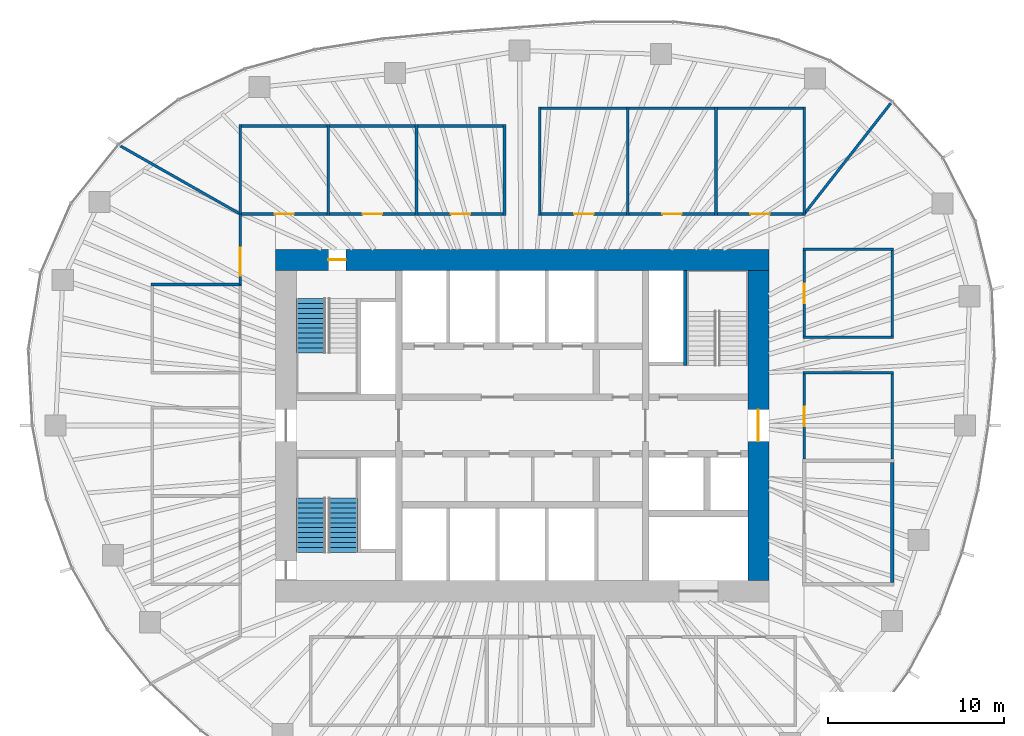
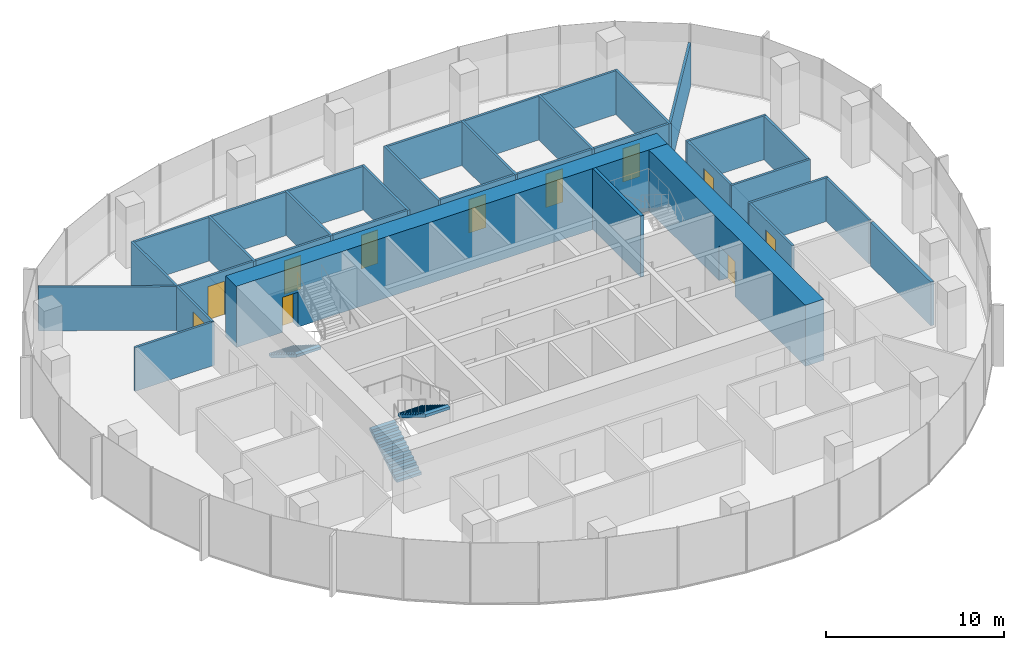
# One storey, part 10 of 12: 35 walls, 11 doors, 3 stair flights, 11 openings, 2 elements without a shape of their own.
"""IFC4 building model written with IfcOpenShell, lengths in metres."""

from ifc_helpers import new_model, si_unit, direction, frame, frame_2d, origin, place, context, subcontext, project, spatial, polyline, rectangle, outline, extrude, material, layer, layer_set, type_object, element, fill, aggregate, save


model = new_model("IFC4")

# Units and contexts
model_context = context("Model", 3, precision=1e-05, world=origin(), true_north=direction((0.0, 1.0)))
body_context = subcontext(model_context, "Body", "Model", "MODEL_VIEW")
ifc_project = project(units=[si_unit("LENGTHUNIT", "METRE"), si_unit("AREAUNIT", "SQUARE_METRE"), si_unit("VOLUMEUNIT", "CUBIC_METRE"), si_unit("PLANEANGLEUNIT", "RADIAN"), si_unit("MASSUNIT", "GRAM", prefix="KILO")], contexts=[model_context])

# Site, building, storey
site_placement = place(None, origin())
site = spatial("IfcSite", under=ifc_project, at=site_placement, CompositionType="ELEMENT")
building_placement = place(site_placement, origin())
building = spatial("IfcBuilding", under=site, at=building_placement, Name="Ghaith Harvest Tower", CompositionType="ELEMENT")
storey_placement = place(building_placement, frame((0.0, 0.0, 253.60009765625)))
storey = spatial("IfcBuildingStorey", under=building, at=storey_placement, Name="L56", CompositionType="ELEMENT", Elevation=253.60009765625)

# Wall
ifc_material_1 = material(Name="Twin-stud gypsum board, acoustic", Category="gypsum")
ifc_layer_1 = layer(ifc_material_1, 0.199951171875)
ifc_layer_set_1 = layer_set([ifc_layer_1], Name="ACOUSTIC PARTITION 200")
wall_type_1 = type_object("IfcWallType", Name="ACOUSTIC PARTITION 200", PredefinedType="PARTITIONING", material=ifc_layer_set_1)
wall_1_placement = place(storey_placement, frame((21.0, -8.89990234375, 0.0), z_axis=(0.0, 0.0, 1.0), x_axis=(0.0, 1.0, 0.0)))
element("IfcWall", 1, at=wall_1_placement, inside=storey, type_object=wall_type_1, Name="Partition L56-07", PredefinedType="PARTITIONING", context=body_context, shape_type="SweptSolid", body=[
    extrude(rectangle(XDim=6.7998046875, YDim=0.199951171875, at=frame_2d((3.39990234375, 0.0))), origin(), (0.0, 0.0, 1.0), 3.0),
])

# Wall, opening, door
ifc_material_2 = material(Name="Concrete C60/75", Category="concrete")
ifc_layer_2 = layer(ifc_material_2, 1.199951171875)
ifc_layer_set_2 = layer_set([ifc_layer_2], Name="CORE WALL CW1200 C60")
wall_type_2 = type_object("IfcWallType", Name="CORE WALL CW1200 C60", PredefinedType="SHEAR", material=ifc_layer_set_2)
wall_2_placement = place(storey_placement, frame((14.0, 9.39990234375, 0.0), z_axis=(0.0, 0.0, 1.0), x_axis=(-1.0, 0.0, 0.0)))
wall_2 = element("IfcWall", 2, at=wall_2_placement, inside=storey, type_object=wall_type_2, Name="Core wall N L56", PredefinedType="SHEAR", context=body_context, shape_type="SweptSolid", body=[
    extrude(rectangle(XDim=28.0, YDim=1.199951171875, at=frame_2d((14.0, 0.0))), origin(), (0.0, 0.0, 1.0), 4.199951171875),
])
opening_1_placement = place(wall_2_placement, frame((24.0, 0.0, 0.0)))
opening_1 = element("IfcOpeningElement", 3, at=opening_1_placement, cuts=wall_2, Name="Opening 56-005", PredefinedType="OPENING", context=body_context, shape_type="SweptSolid", body=[
    extrude(rectangle(XDim=1.0, YDim=2.39990234375, at=frame_2d((0.5, 1.199951171875))), frame((0.0, 0.60986328125, 0.0), z_axis=(0.0, -1.0, 0.0), x_axis=(1.0, 0.0, 0.0)), (0.0, 0.0, 1.0), 1.219970703125),
])
ifc_material_3 = material(Name="Steel fire door", Category="steel")
door_type_1 = type_object("IfcDoorType", Name="D3 FD90 1000x2400", OperationType="SINGLE_SWING_LEFT", PredefinedType="DOOR", material=ifc_material_3)
door_1_placement = place(opening_1_placement, origin())
door_1 = element("IfcDoor", 4, at=door_1_placement, inside=storey, type_object=door_type_1, Name="Stair ST1 door", OperationType="SINGLE_SWING_RIGHT", OverallHeight=2.39990234375, OverallWidth=1.0, PredefinedType="DOOR", context=body_context, shape_type="SweptSolid", body=[
    extrude(rectangle(XDim=1.0, YDim=2.39990234375, at=frame_2d((0.5, 1.199951171875))), frame((0.0, 0.02490234375, 0.0), z_axis=(0.0, -1.0, 0.0), x_axis=(1.0, 0.0, 0.0)), (0.0, 0.0, 1.0), 0.050048828125),
])
fill(opening_1, door_1)

wall_3_placement = place(storey_placement, frame((13.39990234375, -8.800048828125, 0.0), z_axis=(0.0, 0.0, 1.0), x_axis=(0.0, 1.0, 0.0)))
wall_3 = element("IfcWall", 5, at=wall_3_placement, inside=storey, type_object=wall_type_2, Name="Core wall E L56", PredefinedType="SHEAR", context=body_context, shape_type="SweptSolid", body=[
    extrude(rectangle(XDim=17.60009765625, YDim=1.199951171875, at=frame_2d((8.800048828125, 0.0))), origin(), (0.0, 0.0, 1.0), 4.199951171875),
])
opening_2_placement = place(wall_3_placement, frame((7.89990234375, 0.0, 0.0)))
opening_2 = element("IfcOpeningElement", 6, at=opening_2_placement, cuts=wall_3, Name="Opening 56-002", PredefinedType="OPENING", context=body_context, shape_type="SweptSolid", body=[
    extrude(rectangle(XDim=1.800048828125, YDim=2.39990234375, at=frame_2d((0.89990234375, 1.199951171875))), frame((0.0, 0.60986328125, 0.0), z_axis=(0.0, -1.0, 0.0), x_axis=(1.0, 0.0, 0.0)), (0.0, 0.0, 1.0), 1.219970703125),
])
ifc_material_4 = material(Name="Steel fire door", Category="steel")
door_type_2 = type_object("IfcDoorType", Name="D4 FD90 PAIR 1800x2400", OperationType="DOUBLE_DOOR_SINGLE_SWING", PredefinedType="DOOR", material=ifc_material_4)
door_2_placement = place(opening_2_placement, origin())
door_2 = element("IfcDoor", 7, at=door_2_placement, inside=storey, type_object=door_type_2, Name="Fire-fighting lobby doors", OperationType="DOUBLE_DOOR_SINGLE_SWING", OverallHeight=2.39990234375, OverallWidth=1.800048828125, PredefinedType="DOOR", context=body_context, shape_type="SweptSolid", body=[
    extrude(rectangle(XDim=1.800048828125, YDim=2.39990234375, at=frame_2d((0.89990234375, 1.199951171875))), frame((0.0, 0.02490234375, 0.0), z_axis=(0.0, -1.0, 0.0), x_axis=(1.0, 0.0, 0.0)), (0.0, 0.0, 1.0), 0.050048828125),
])
fill(opening_2, door_2)

# Walls
ifc_material_5 = material(Name="Gypsum board on steel studs", Category="steel")
ifc_layer_3 = layer(ifc_material_5, 0.14990234375)
ifc_layer_set_3 = layer_set([ifc_layer_3], Name="PARTITION 150")
wall_type_3 = type_object("IfcWallType", Name="PARTITION 150", PredefinedType="PARTITIONING", material=ifc_layer_set_3)
for number, where, z_axis, x_axis, name in (
    (8, (-16.0, 11.925048828125, 0.0), (0.0, 0.0, 1.0), (0.0, 1.0, 0.0), "Partition L56 row N1 cross wall 1"),
    (9, (-11.0, 11.925048828125, 0.0), (0.0, 0.0, 1.0), (0.0, 1.0, 0.0), "Partition L56 row N1 cross wall 2"),
    (10, (-6.0, 11.925048828125, 0.0), (0.0, 0.0, 1.0), (0.0, 1.0, 0.0), "Partition L56 row N1 cross wall 3"),
    (11, (-1.0, 11.925048828125, 0.0), (0.0, 0.0, 1.0), (0.0, 1.0, 0.0), "Partition L56 row N1 cross wall 4"),
):
    element("IfcWall", number, at=place(storey_placement, frame(where, z_axis=z_axis, x_axis=x_axis)), inside=storey, type_object=wall_type_3, Name=name, PredefinedType="PARTITIONING", context=body_context, shape_type="SweptSolid", body=[
        extrude(rectangle(XDim=5.14990234375, YDim=0.14990234375, at=frame_2d((2.574951171875, 0.0))), origin(), (0.0, 0.0, 1.0), 3.0),
    ])

# Wall, opening, door
wall_4_placement = place(storey_placement, frame((-15.925048828125, 12.0, 0.0), z_axis=(0.0, 0.0, 1.0), x_axis=(1.0, 0.0, 0.0)))
wall_4 = element("IfcWall", 12, at=wall_4_placement, inside=storey, type_object=wall_type_3, Name="Partition L56-01", PredefinedType="PARTITIONING", context=body_context, shape_type="SweptSolid", body=[
    extrude(rectangle(XDim=4.85009765625, YDim=0.14990234375, at=frame_2d((2.425048828125, 0.0))), origin(), (0.0, 0.0, 1.0), 3.0),
])
opening_3_placement = place(wall_4_placement, frame((1.875, 0.0, 0.0)))
opening_3 = element("IfcOpeningElement", 13, at=opening_3_placement, cuts=wall_4, Name="Opening 56-021", PredefinedType="OPENING", context=body_context, shape_type="SweptSolid", body=[
    extrude(rectangle(XDim=1.10009765625, YDim=2.300048828125, at=frame_2d((0.550048828125, 1.14990234375))), frame((0.0, 0.0849609375, 0.0), z_axis=(0.0, -1.0, 0.0), x_axis=(1.0, 0.0, 0.0)), (0.0, 0.0, 1.0), 0.169921875),
])
ifc_material_6 = material(Name="Timber-framed glazed door", Category="wood")
door_type_3 = type_object("IfcDoorType", Name="D12 GLAZED OFFICE 1100x2300", OperationType="SINGLE_SWING_LEFT", PredefinedType="DOOR", material=ifc_material_6)
door_3_placement = place(opening_3_placement, origin())
door_3 = element("IfcDoor", 14, at=door_3_placement, inside=storey, type_object=door_type_3, Name="Executive office door", OperationType="SINGLE_SWING_LEFT", OverallHeight=2.300048828125, OverallWidth=1.10009765625, PredefinedType="DOOR", context=body_context, shape_type="SweptSolid", body=[
    extrude(rectangle(XDim=1.10009765625, YDim=2.300048828125, at=frame_2d((0.550048828125, 1.14990234375))), frame((0.0, 0.02490234375, 0.0), z_axis=(0.0, -1.0, 0.0), x_axis=(1.0, 0.0, 0.0)), (0.0, 0.0, 1.0), 0.050048828125),
])
fill(opening_3, door_3)

# Wall
wall_5_placement = place(storey_placement, frame((-15.925048828125, 17.0, 0.0), z_axis=(0.0, 0.0, 1.0), x_axis=(1.0, 0.0, 0.0)))
element("IfcWall", 15, at=wall_5_placement, inside=storey, type_object=wall_type_3, Name="Partition L56-01", PredefinedType="PARTITIONING", context=body_context, shape_type="SweptSolid", body=[
    extrude(rectangle(XDim=4.85009765625, YDim=0.14990234375, at=frame_2d((2.425048828125, 0.0))), origin(), (0.0, 0.0, 1.0), 3.0),
])

# Wall, opening, door
wall_6_placement = place(storey_placement, frame((-10.925048828125, 12.0, 0.0), z_axis=(0.0, 0.0, 1.0), x_axis=(1.0, 0.0, 0.0)))
wall_6 = element("IfcWall", 16, at=wall_6_placement, inside=storey, type_object=wall_type_3, Name="Partition L56-02", PredefinedType="PARTITIONING", context=body_context, shape_type="SweptSolid", body=[
    extrude(rectangle(XDim=4.85009765625, YDim=0.14990234375, at=frame_2d((2.425048828125, 0.0))), origin(), (0.0, 0.0, 1.0), 3.0),
])
opening_4_placement = place(wall_6_placement, frame((1.875, 0.0, 0.0)))
opening_4 = element("IfcOpeningElement", 17, at=opening_4_placement, cuts=wall_6, Name="Opening 56-022", PredefinedType="OPENING", context=body_context, shape_type="SweptSolid", body=[
    extrude(rectangle(XDim=1.10009765625, YDim=2.300048828125, at=frame_2d((0.550048828125, 1.14990234375))), frame((0.0, 0.0849609375, 0.0), z_axis=(0.0, -1.0, 0.0), x_axis=(1.0, 0.0, 0.0)), (0.0, 0.0, 1.0), 0.169921875),
])
door_4_placement = place(opening_4_placement, origin())
door_4 = element("IfcDoor", 18, at=door_4_placement, inside=storey, type_object=door_type_3, Name="Executive office door", OperationType="SINGLE_SWING_LEFT", OverallHeight=2.300048828125, OverallWidth=1.10009765625, PredefinedType="DOOR", context=body_context, shape_type="SweptSolid", body=[
    extrude(rectangle(XDim=1.10009765625, YDim=2.300048828125, at=frame_2d((0.550048828125, 1.14990234375))), frame((0.0, 0.02490234375, 0.0), z_axis=(0.0, -1.0, 0.0), x_axis=(1.0, 0.0, 0.0)), (0.0, 0.0, 1.0), 0.050048828125),
])
fill(opening_4, door_4)

# Wall
wall_7_placement = place(storey_placement, frame((-10.925048828125, 17.0, 0.0), z_axis=(0.0, 0.0, 1.0), x_axis=(1.0, 0.0, 0.0)))
element("IfcWall", 19, at=wall_7_placement, inside=storey, type_object=wall_type_3, Name="Partition L56-02", PredefinedType="PARTITIONING", context=body_context, shape_type="SweptSolid", body=[
    extrude(rectangle(XDim=4.85009765625, YDim=0.14990234375, at=frame_2d((2.425048828125, 0.0))), origin(), (0.0, 0.0, 1.0), 3.0),
])

# Wall, opening, door
wall_8_placement = place(storey_placement, frame((-5.925048828125, 12.0, 0.0), z_axis=(0.0, 0.0, 1.0), x_axis=(1.0, 0.0, 0.0)))
wall_8 = element("IfcWall", 20, at=wall_8_placement, inside=storey, type_object=wall_type_3, Name="Partition L56-03", PredefinedType="PARTITIONING", context=body_context, shape_type="SweptSolid", body=[
    extrude(rectangle(XDim=4.85009765625, YDim=0.14990234375, at=frame_2d((2.425048828125, 0.0))), origin(), (0.0, 0.0, 1.0), 3.0),
])
opening_5_placement = place(wall_8_placement, frame((1.875, 0.0, 0.0)))
opening_5 = element("IfcOpeningElement", 21, at=opening_5_placement, cuts=wall_8, Name="Opening 56-023", PredefinedType="OPENING", context=body_context, shape_type="SweptSolid", body=[
    extrude(rectangle(XDim=1.10009765625, YDim=2.300048828125, at=frame_2d((0.550048828125, 1.14990234375))), frame((0.0, 0.0849609375, 0.0), z_axis=(0.0, -1.0, 0.0), x_axis=(1.0, 0.0, 0.0)), (0.0, 0.0, 1.0), 0.169921875),
])
door_5_placement = place(opening_5_placement, origin())
door_5 = element("IfcDoor", 22, at=door_5_placement, inside=storey, type_object=door_type_3, Name="Executive office door", OperationType="SINGLE_SWING_LEFT", OverallHeight=2.300048828125, OverallWidth=1.10009765625, PredefinedType="DOOR", context=body_context, shape_type="SweptSolid", body=[
    extrude(rectangle(XDim=1.10009765625, YDim=2.300048828125, at=frame_2d((0.550048828125, 1.14990234375))), frame((0.0, 0.02490234375, 0.0), z_axis=(0.0, -1.0, 0.0), x_axis=(1.0, 0.0, 0.0)), (0.0, 0.0, 1.0), 0.050048828125),
])
fill(opening_5, door_5)

# Walls
wall_9_placement = place(storey_placement, frame((-5.925048828125, 17.0, 0.0), z_axis=(0.0, 0.0, 1.0), x_axis=(1.0, 0.0, 0.0)))
element("IfcWall", 23, at=wall_9_placement, inside=storey, type_object=wall_type_3, Name="Partition L56-03", PredefinedType="PARTITIONING", context=body_context, shape_type="SweptSolid", body=[
    extrude(rectangle(XDim=4.85009765625, YDim=0.14990234375, at=frame_2d((2.425048828125, 0.0))), origin(), (0.0, 0.0, 1.0), 3.0),
])
for number, where, z_axis, x_axis, name in (
    (24, (1.0, 11.925048828125, 0.0), (0.0, 0.0, 1.0), (0.0, 1.0, 0.0), "Partition L56 row N2 cross wall 1"),
    (25, (6.0, 11.925048828125, 0.0), (0.0, 0.0, 1.0), (0.0, 1.0, 0.0), "Partition L56 row N2 cross wall 2"),
    (26, (11.0, 11.925048828125, 0.0), (0.0, 0.0, 1.0), (0.0, 1.0, 0.0), "Partition L56 row N2 cross wall 3"),
    (27, (16.0, 11.925048828125, 0.0), (0.0, 0.0, 1.0), (0.0, 1.0, 0.0), "Partition L56 row N2 cross wall 4"),
):
    element("IfcWall", number, at=place(storey_placement, frame(where, z_axis=z_axis, x_axis=x_axis)), inside=storey, type_object=wall_type_3, Name=name, PredefinedType="PARTITIONING", context=body_context, shape_type="SweptSolid", body=[
        extrude(rectangle(XDim=6.14990234375, YDim=0.14990234375, at=frame_2d((3.074951171875, 0.0))), origin(), (0.0, 0.0, 1.0), 3.0),
    ])

# Wall, opening, door
wall_10_placement = place(storey_placement, frame((1.074951171875, 12.0, 0.0), z_axis=(0.0, 0.0, 1.0), x_axis=(1.0, 0.0, 0.0)))
wall_10 = element("IfcWall", 28, at=wall_10_placement, inside=storey, type_object=wall_type_3, Name="Partition L56-04", PredefinedType="PARTITIONING", context=body_context, shape_type="SweptSolid", body=[
    extrude(rectangle(XDim=4.85009765625, YDim=0.14990234375, at=frame_2d((2.425048828125, 0.0))), origin(), (0.0, 0.0, 1.0), 3.0),
])
opening_6_placement = place(wall_10_placement, frame((1.875, 0.0, 0.0)))
opening_6 = element("IfcOpeningElement", 29, at=opening_6_placement, cuts=wall_10, Name="Opening 56-024", PredefinedType="OPENING", context=body_context, shape_type="SweptSolid", body=[
    extrude(rectangle(XDim=1.10009765625, YDim=2.300048828125, at=frame_2d((0.550048828125, 1.14990234375))), frame((0.0, 0.0849609375, 0.0), z_axis=(0.0, -1.0, 0.0), x_axis=(1.0, 0.0, 0.0)), (0.0, 0.0, 1.0), 0.169921875),
])
door_6_placement = place(opening_6_placement, origin())
door_6 = element("IfcDoor", 30, at=door_6_placement, inside=storey, type_object=door_type_3, Name="Executive office door", OperationType="SINGLE_SWING_LEFT", OverallHeight=2.300048828125, OverallWidth=1.10009765625, PredefinedType="DOOR", context=body_context, shape_type="SweptSolid", body=[
    extrude(rectangle(XDim=1.10009765625, YDim=2.300048828125, at=frame_2d((0.550048828125, 1.14990234375))), frame((0.0, 0.02490234375, 0.0), z_axis=(0.0, -1.0, 0.0), x_axis=(1.0, 0.0, 0.0)), (0.0, 0.0, 1.0), 0.050048828125),
])
fill(opening_6, door_6)

# Wall
wall_11_placement = place(storey_placement, frame((1.074951171875, 18.0, 0.0), z_axis=(0.0, 0.0, 1.0), x_axis=(1.0, 0.0, 0.0)))
element("IfcWall", 31, at=wall_11_placement, inside=storey, type_object=wall_type_3, Name="Partition L56-04", PredefinedType="PARTITIONING", context=body_context, shape_type="SweptSolid", body=[
    extrude(rectangle(XDim=4.85009765625, YDim=0.14990234375, at=frame_2d((2.425048828125, 0.0))), origin(), (0.0, 0.0, 1.0), 3.0),
])

# Wall, opening, door
wall_12_placement = place(storey_placement, frame((6.074951171875, 12.0, 0.0), z_axis=(0.0, 0.0, 1.0), x_axis=(1.0, 0.0, 0.0)))
wall_12 = element("IfcWall", 32, at=wall_12_placement, inside=storey, type_object=wall_type_3, Name="Partition L56-05", PredefinedType="PARTITIONING", context=body_context, shape_type="SweptSolid", body=[
    extrude(rectangle(XDim=4.85009765625, YDim=0.14990234375, at=frame_2d((2.425048828125, 0.0))), origin(), (0.0, 0.0, 1.0), 3.0),
])
opening_7_placement = place(wall_12_placement, frame((1.875, 0.0, 0.0)))
opening_7 = element("IfcOpeningElement", 33, at=opening_7_placement, cuts=wall_12, Name="Opening 56-025", PredefinedType="OPENING", context=body_context, shape_type="SweptSolid", body=[
    extrude(rectangle(XDim=1.10009765625, YDim=2.300048828125, at=frame_2d((0.550048828125, 1.14990234375))), frame((0.0, 0.0849609375, 0.0), z_axis=(0.0, -1.0, 0.0), x_axis=(1.0, 0.0, 0.0)), (0.0, 0.0, 1.0), 0.169921875),
])
door_7_placement = place(opening_7_placement, origin())
door_7 = element("IfcDoor", 34, at=door_7_placement, inside=storey, type_object=door_type_3, Name="Executive office door", OperationType="SINGLE_SWING_LEFT", OverallHeight=2.300048828125, OverallWidth=1.10009765625, PredefinedType="DOOR", context=body_context, shape_type="SweptSolid", body=[
    extrude(rectangle(XDim=1.10009765625, YDim=2.300048828125, at=frame_2d((0.550048828125, 1.14990234375))), frame((0.0, 0.02490234375, 0.0), z_axis=(0.0, -1.0, 0.0), x_axis=(1.0, 0.0, 0.0)), (0.0, 0.0, 1.0), 0.050048828125),
])
fill(opening_7, door_7)

# Wall
wall_13_placement = place(storey_placement, frame((6.074951171875, 18.0, 0.0), z_axis=(0.0, 0.0, 1.0), x_axis=(1.0, 0.0, 0.0)))
element("IfcWall", 35, at=wall_13_placement, inside=storey, type_object=wall_type_3, Name="Partition L56-05", PredefinedType="PARTITIONING", context=body_context, shape_type="SweptSolid", body=[
    extrude(rectangle(XDim=4.85009765625, YDim=0.14990234375, at=frame_2d((2.425048828125, 0.0))), origin(), (0.0, 0.0, 1.0), 3.0),
])

# Wall, opening, door
wall_14_placement = place(storey_placement, frame((11.074951171875, 12.0, 0.0), z_axis=(0.0, 0.0, 1.0), x_axis=(1.0, 0.0, 0.0)))
wall_14 = element("IfcWall", 36, at=wall_14_placement, inside=storey, type_object=wall_type_3, Name="Partition L56-06", PredefinedType="PARTITIONING", context=body_context, shape_type="SweptSolid", body=[
    extrude(rectangle(XDim=4.85009765625, YDim=0.14990234375, at=frame_2d((2.425048828125, 0.0))), origin(), (0.0, 0.0, 1.0), 3.0),
])
opening_8_placement = place(wall_14_placement, frame((1.875, 0.0, 0.0)))
opening_8 = element("IfcOpeningElement", 37, at=opening_8_placement, cuts=wall_14, Name="Opening 56-026", PredefinedType="OPENING", context=body_context, shape_type="SweptSolid", body=[
    extrude(rectangle(XDim=1.10009765625, YDim=2.300048828125, at=frame_2d((0.550048828125, 1.14990234375))), frame((0.0, 0.0849609375, 0.0), z_axis=(0.0, -1.0, 0.0), x_axis=(1.0, 0.0, 0.0)), (0.0, 0.0, 1.0), 0.169921875),
])
door_8_placement = place(opening_8_placement, origin())
door_8 = element("IfcDoor", 38, at=door_8_placement, inside=storey, type_object=door_type_3, Name="Executive office door", OperationType="SINGLE_SWING_LEFT", OverallHeight=2.300048828125, OverallWidth=1.10009765625, PredefinedType="DOOR", context=body_context, shape_type="SweptSolid", body=[
    extrude(rectangle(XDim=1.10009765625, YDim=2.300048828125, at=frame_2d((0.550048828125, 1.14990234375))), frame((0.0, 0.02490234375, 0.0), z_axis=(0.0, -1.0, 0.0), x_axis=(1.0, 0.0, 0.0)), (0.0, 0.0, 1.0), 0.050048828125),
])
fill(opening_8, door_8)

# Walls
wall_15_placement = place(storey_placement, frame((11.074951171875, 18.0, 0.0), z_axis=(0.0, 0.0, 1.0), x_axis=(1.0, 0.0, 0.0)))
element("IfcWall", 39, at=wall_15_placement, inside=storey, type_object=wall_type_3, Name="Partition L56-06", PredefinedType="PARTITIONING", context=body_context, shape_type="SweptSolid", body=[
    extrude(rectangle(XDim=4.85009765625, YDim=0.14990234375, at=frame_2d((2.425048828125, 0.0))), origin(), (0.0, 0.0, 1.0), 3.0),
])
wall_16_placement = place(storey_placement, frame((15.925048828125, 3.0, 0.0), z_axis=(0.0, 0.0, 1.0), x_axis=(1.0, 0.0, 0.0)))
element("IfcWall", 40, at=wall_16_placement, inside=storey, type_object=wall_type_3, Name="Partition L56 row E3 cross wall 3", PredefinedType="PARTITIONING", context=body_context, shape_type="SweptSolid", body=[
    extrude(rectangle(XDim=5.14990234375, YDim=0.14990234375, at=frame_2d((2.574951171875, 0.0))), origin(), (0.0, 0.0, 1.0), 3.0),
])

# Wall, opening, door
wall_17_placement = place(storey_placement, frame((16.0, -1.89990234375, 0.0), z_axis=(0.0, 0.0, 1.0), x_axis=(0.0, 1.0, 0.0)))
wall_17 = element("IfcWall", 41, at=wall_17_placement, inside=storey, type_object=wall_type_3, Name="Partition L56-08", PredefinedType="PARTITIONING", context=body_context, shape_type="SweptSolid", body=[
    extrude(rectangle(XDim=4.824951171875, YDim=0.14990234375, at=frame_2d((2.41259765625, 0.0))), origin(), (0.0, 0.0, 1.0), 3.0),
])
opening_9_placement = place(wall_17_placement, frame((1.862548828125, 0.0, 0.0)))
opening_9 = element("IfcOpeningElement", 42, at=opening_9_placement, cuts=wall_17, Name="Opening 56-028", PredefinedType="OPENING", context=body_context, shape_type="SweptSolid", body=[
    extrude(rectangle(XDim=1.10009765625, YDim=2.300048828125, at=frame_2d((0.550048828125, 1.14990234375))), frame((0.0, 0.0849609375, 0.0), z_axis=(0.0, -1.0, 0.0), x_axis=(1.0, 0.0, 0.0)), (0.0, 0.0, 1.0), 0.169921875),
])
door_9_placement = place(opening_9_placement, origin())
door_9 = element("IfcDoor", 43, at=door_9_placement, inside=storey, type_object=door_type_3, Name="Executive office door", OperationType="SINGLE_SWING_LEFT", OverallHeight=2.300048828125, OverallWidth=1.10009765625, PredefinedType="DOOR", context=body_context, shape_type="SweptSolid", body=[
    extrude(rectangle(XDim=1.10009765625, YDim=2.300048828125, at=frame_2d((0.550048828125, 1.14990234375))), frame((0.0, 0.02490234375, 0.0), z_axis=(0.0, -1.0, 0.0), x_axis=(1.0, 0.0, 0.0)), (0.0, 0.0, 1.0), 0.050048828125),
])
fill(opening_9, door_9)

# Walls
wall_18_placement = place(storey_placement, frame((21.0, -1.89990234375, 0.0), z_axis=(0.0, 0.0, 1.0), x_axis=(0.0, 1.0, 0.0)))
element("IfcWall", 44, at=wall_18_placement, inside=storey, type_object=wall_type_3, Name="Partition L56-08", PredefinedType="PARTITIONING", context=body_context, shape_type="SweptSolid", body=[
    extrude(rectangle(XDim=4.824951171875, YDim=0.14990234375, at=frame_2d((2.41259765625, 0.0))), origin(), (0.0, 0.0, 1.0), 3.0),
])
for number, where, z_axis, x_axis, name in (
    (45, (15.925048828125, 5.0, 0.0), (0.0, 0.0, 1.0), (1.0, 0.0, 0.0), "Partition L56 row E7 cross wall 1"),
    (46, (15.925048828125, 10.0, 0.0), (0.0, 0.0, 1.0), (1.0, 0.0, 0.0), "Partition L56 row E7 cross wall 2"),
):
    element("IfcWall", number, at=place(storey_placement, frame(where, z_axis=z_axis, x_axis=x_axis)), inside=storey, type_object=wall_type_3, Name=name, PredefinedType="PARTITIONING", context=body_context, shape_type="SweptSolid", body=[
        extrude(rectangle(XDim=5.14990234375, YDim=0.14990234375, at=frame_2d((2.574951171875, 0.0))), origin(), (0.0, 0.0, 1.0), 3.0),
    ])

# Wall, opening, door
wall_19_placement = place(storey_placement, frame((16.0, 5.074951171875, 0.0), z_axis=(0.0, 0.0, 1.0), x_axis=(0.0, 1.0, 0.0)))
wall_19 = element("IfcWall", 47, at=wall_19_placement, inside=storey, type_object=wall_type_3, Name="Partition L56-16", PredefinedType="PARTITIONING", context=body_context, shape_type="SweptSolid", body=[
    extrude(rectangle(XDim=4.85009765625, YDim=0.14990234375, at=frame_2d((2.425048828125, 0.0))), origin(), (0.0, 0.0, 1.0), 3.0),
])
opening_10_placement = place(wall_19_placement, frame((1.875, 0.0, 0.0)))
opening_10 = element("IfcOpeningElement", 48, at=opening_10_placement, cuts=wall_19, Name="Opening 56-036", PredefinedType="OPENING", context=body_context, shape_type="SweptSolid", body=[
    extrude(rectangle(XDim=1.10009765625, YDim=2.300048828125, at=frame_2d((0.550048828125, 1.14990234375))), frame((0.0, 0.0849609375, 0.0), z_axis=(0.0, -1.0, 0.0), x_axis=(1.0, 0.0, 0.0)), (0.0, 0.0, 1.0), 0.169921875),
])
door_10_placement = place(opening_10_placement, origin())
door_10 = element("IfcDoor", 49, at=door_10_placement, inside=storey, type_object=door_type_3, Name="Office door", OperationType="SINGLE_SWING_LEFT", OverallHeight=2.300048828125, OverallWidth=1.10009765625, PredefinedType="DOOR", context=body_context, shape_type="SweptSolid", body=[
    extrude(rectangle(XDim=1.10009765625, YDim=2.300048828125, at=frame_2d((0.550048828125, 1.14990234375))), frame((0.0, 0.02490234375, 0.0), z_axis=(0.0, -1.0, 0.0), x_axis=(1.0, 0.0, 0.0)), (0.0, 0.0, 1.0), 0.050048828125),
])
fill(opening_10, door_10)

# Walls
wall_20_placement = place(storey_placement, frame((21.0, 5.074951171875, 0.0), z_axis=(0.0, 0.0, 1.0), x_axis=(0.0, 1.0, 0.0)))
element("IfcWall", 50, at=wall_20_placement, inside=storey, type_object=wall_type_3, Name="Partition L56-16", PredefinedType="PARTITIONING", context=body_context, shape_type="SweptSolid", body=[
    extrude(rectangle(XDim=4.85009765625, YDim=0.14990234375, at=frame_2d((2.425048828125, 0.0))), origin(), (0.0, 0.0, 1.0), 3.0),
])
wall_21_placement = place(storey_placement, frame((-15.925048828125, 8.0, 0.0), z_axis=(0.0, 0.0, 1.0), x_axis=(-1.0, 0.0, 0.0)))
element("IfcWall", 51, at=wall_21_placement, inside=storey, type_object=wall_type_3, Name="Partition L56 row W8 cross wall 2", PredefinedType="PARTITIONING", context=body_context, shape_type="SweptSolid", body=[
    extrude(rectangle(XDim=5.14990234375, YDim=0.14990234375, at=frame_2d((2.574951171875, 0.0))), origin(), (0.0, 0.0, 1.0), 3.0),
])
wall_22_placement = place(storey_placement, frame((-16.02001953125, 12.011474609375, 0.0), z_axis=(0.0, 0.0, 1.0), x_axis=(-0.869354026591, 0.494189818238, 0.0)))
element("IfcWall", 52, at=wall_22_placement, inside=storey, type_object=wall_type_3, Name="Partition L56 zone division", PredefinedType="PARTITIONING", context=body_context, shape_type="SweptSolid", body=[
    extrude(rectangle(XDim=7.788330078125, YDim=0.14990234375, at=frame_2d((3.89404296875, 0.0))), origin(), (0.0, 0.0, 1.0), 3.0),
])
wall_23_placement = place(storey_placement, frame((16.02001953125, 12.025634765625, 0.0), z_axis=(0.0, 0.0, 1.0), x_axis=(0.616031272047, 0.787721696959, 0.0)))
element("IfcWall", 53, at=wall_23_placement, inside=storey, type_object=wall_type_3, Name="Partition L56 zone division", PredefinedType="PARTITIONING", context=body_context, shape_type="SweptSolid", body=[
    extrude(rectangle(XDim=7.93896484375, YDim=0.14990234375, at=frame_2d((3.969482421875, 0.0))), origin(), (0.0, 0.0, 1.0), 3.0),
])

# Wall, opening, door
wall_24_placement = place(storey_placement, frame((-16.0, 12.0, 0.0), z_axis=(0.0, 0.0, 1.0), x_axis=(0.0, -1.0, 0.0)))
wall_24 = element("IfcWall", 54, at=wall_24_placement, inside=storey, type_object=wall_type_3, Name="Partition L56 zone enclosure", PredefinedType="PARTITIONING", context=body_context, shape_type="SweptSolid", body=[
    extrude(rectangle(XDim=4.0, YDim=0.14990234375, at=frame_2d((2.0, 0.0))), origin(), (0.0, 0.0, 1.0), 3.0),
])
opening_11_placement = place(wall_24_placement, frame((1.89990234375, 0.0, 0.0)))
opening_11 = element("IfcOpeningElement", 55, at=opening_11_placement, cuts=wall_24, Name="Opening 56-038", PredefinedType="OPENING", context=body_context, shape_type="SweptSolid", body=[
    extrude(rectangle(XDim=1.60009765625, YDim=2.39990234375, at=frame_2d((0.800048828125, 1.199951171875))), frame((0.0, 0.0849609375, 0.0), z_axis=(0.0, -1.0, 0.0), x_axis=(1.0, 0.0, 0.0)), (0.0, 0.0, 1.0), 0.169921875),
])
ifc_material_7 = material(Name="Timber door", Category="wood")
door_type_4 = type_object("IfcDoorType", Name="D2 PAIR 1600x2400", OperationType="DOUBLE_DOOR_SINGLE_SWING", PredefinedType="DOOR", material=ifc_material_7)
door_11_placement = place(opening_11_placement, origin())
door_11 = element("IfcDoor", 56, at=door_11_placement, inside=storey, type_object=door_type_4, Name="Executive workplace west door", OperationType="DOUBLE_DOOR_SINGLE_SWING", OverallHeight=2.39990234375, OverallWidth=1.60009765625, PredefinedType="DOOR", context=body_context, shape_type="SweptSolid", body=[
    extrude(rectangle(XDim=1.60009765625, YDim=2.39990234375, at=frame_2d((0.800048828125, 1.199951171875))), frame((0.0, 0.02490234375, 0.0), z_axis=(0.0, -1.0, 0.0), x_axis=(1.0, 0.0, 0.0)), (0.0, 0.0, 1.0), 0.050048828125),
])
fill(opening_11, door_11)

# Wall
ifc_material_8 = material(Name="Concrete C40/50", Category="concrete")
ifc_layer_4 = layer(ifc_material_8, 0.199951171875)
ifc_layer_set_4 = layer_set([ifc_layer_4], Name="STAIR SPINE WALL RC200")
wall_type_4 = type_object("IfcWallType", Name="STAIR SPINE WALL RC200", PredefinedType="SOLIDWALL", material=ifc_layer_set_4)
wall_25_placement = place(storey_placement, frame((9.25, 3.39990234375, 0.0), z_axis=(0.0, 0.0, 1.0), x_axis=(0.0, 1.0, 0.0)))
element("IfcWall", 57, at=wall_25_placement, inside=storey, type_object=wall_type_4, Name="Stair ST2 spine wall L56", PredefinedType="SOLIDWALL", context=body_context, shape_type="SweptSolid", body=[
    extrude(rectangle(XDim=5.400146484375, YDim=0.199951171875, at=frame_2d((2.7001953125, 0.0))), origin(), (0.0, 0.0, 1.0), 4.199951171875),
])

# Stair, stair flight
ifc_material_9 = material(Name="Concrete C40/50, precast", Category="concrete")
stair_type = type_object("IfcStairType", Name="CORE STAIR 24R", PredefinedType="HALF_TURN_STAIR", material=ifc_material_9)
stair_1_placement = place(storey_placement, origin())
stair_1 = element("IfcStair", 58, at=stair_1_placement, inside=storey, type_object=stair_type, Name="Stair ST1 L56", PredefinedType="HALF_TURN_STAIR")
ifc_material_10 = material(Name="Concrete C40/50, precast", Category="concrete")
stair_flight_type = type_object("IfcStairFlightType", Name="CORE FLIGHT 12R 1600", PredefinedType="STRAIGHT", material=ifc_material_10)
stair_flight_1_placement = place(storey_placement, frame((-12.0, 7.199951171875, 0.0), z_axis=(0.0, 0.0, 1.0), x_axis=(0.0, -1.0, 0.0)))
stair_flight_1 = element("IfcStairFlight", 59, at=stair_flight_1_placement, type_object=stair_flight_type, Name="ST1 flight 1", NumberOfRisers=12, NumberOfTreads=11, PredefinedType="STRAIGHT", RiserHeight=0.175, TreadLength=0.28, context=body_context, shape_type="SweptSolid", body=[
    extrude(outline(polyline([(0.0, 0.0), (0.0, 0.175048828125), (0.280029296875, 0.175048828125), (0.280029296875, 0.35009765625), (0.56005859375, 0.35009765625), (0.56005859375, 0.52490234375), (0.840087890625, 0.52490234375), (0.840087890625, 0.699951171875), (1.1201171875, 0.699951171875), (1.1201171875, 0.875), (1.39990234375, 0.875), (1.39990234375, 1.050048828125), (1.679931640625, 1.050048828125), (1.679931640625, 1.22509765625), (1.9599609375, 1.22509765625), (1.9599609375, 1.39990234375), (2.239990234375, 1.39990234375), (2.239990234375, 1.574951171875), (2.52001953125, 1.574951171875), (2.52001953125, 1.75), (2.800048828125, 1.75), (2.800048828125, 1.925048828125), (3.080078125, 1.925048828125), (3.080078125, 2.10009765625), (3.080078125, 1.748291015625), (0.28271484375, 0.0), (0.0, 0.0)])), frame((0.0, 0.800048828125, 0.0), z_axis=(0.0, -1.0, 0.0), x_axis=(1.0, 0.0, 0.0)), (0.0, 0.0, 1.0), 1.60009765625),
])
aggregate(stair_1, [stair_flight_1])

# Stair, stair flights
stair_2_placement = place(storey_placement, origin())
stair_2 = element("IfcStair", 60, at=stair_2_placement, inside=storey, type_object=stair_type, Name="Stair ST3 L56", PredefinedType="HALF_TURN_STAIR")
stair_flight_2_placement = place(storey_placement, frame((-12.0, -7.199951171875, 0.0), z_axis=(0.0, 0.0, 1.0), x_axis=(0.0, 1.0, 0.0)))
stair_flight_2 = element("IfcStairFlight", 61, at=stair_flight_2_placement, type_object=stair_flight_type, Name="ST3 flight 1", NumberOfRisers=12, NumberOfTreads=11, PredefinedType="STRAIGHT", RiserHeight=0.175, TreadLength=0.28, context=body_context, shape_type="SweptSolid", body=[
    extrude(outline(polyline([(0.0, 0.0), (0.0, 0.175048828125), (0.280029296875, 0.175048828125), (0.280029296875, 0.35009765625), (0.56005859375, 0.35009765625), (0.56005859375, 0.52490234375), (0.840087890625, 0.52490234375), (0.840087890625, 0.699951171875), (1.1201171875, 0.699951171875), (1.1201171875, 0.875), (1.39990234375, 0.875), (1.39990234375, 1.050048828125), (1.679931640625, 1.050048828125), (1.679931640625, 1.22509765625), (1.9599609375, 1.22509765625), (1.9599609375, 1.39990234375), (2.239990234375, 1.39990234375), (2.239990234375, 1.574951171875), (2.52001953125, 1.574951171875), (2.52001953125, 1.75), (2.800048828125, 1.75), (2.800048828125, 1.925048828125), (3.080078125, 1.925048828125), (3.080078125, 2.10009765625), (3.080078125, 1.748291015625), (0.28271484375, 0.0), (0.0, 0.0)])), frame((0.0, 0.800048828125, 0.0), z_axis=(0.0, -1.0, 0.0), x_axis=(1.0, 0.0, 0.0)), (0.0, 0.0, 1.0), 1.60009765625),
])
stair_flight_3_placement = place(storey_placement, frame((-10.14990234375, -4.1201171875, 2.099853515625), z_axis=(0.0, 0.0, 1.0), x_axis=(0.0, -1.0, 0.0)))
stair_flight_3 = element("IfcStairFlight", 62, at=stair_flight_3_placement, type_object=stair_flight_type, Name="ST3 flight 2", NumberOfRisers=12, NumberOfTreads=11, PredefinedType="STRAIGHT", RiserHeight=0.175, TreadLength=0.28, context=body_context, shape_type="SweptSolid", body=[
    extrude(outline(polyline([(0.0, 0.0), (0.0, 0.175048828125), (0.280029296875, 0.175048828125), (0.280029296875, 0.35009765625), (0.56005859375, 0.35009765625), (0.56005859375, 0.52490234375), (0.840087890625, 0.52490234375), (0.840087890625, 0.699951171875), (1.1201171875, 0.699951171875), (1.1201171875, 0.875), (1.39990234375, 0.875), (1.39990234375, 1.050048828125), (1.679931640625, 1.050048828125), (1.679931640625, 1.22509765625), (1.9599609375, 1.22509765625), (1.9599609375, 1.39990234375), (2.239990234375, 1.39990234375), (2.239990234375, 1.574951171875), (2.52001953125, 1.574951171875), (2.52001953125, 1.75), (2.800048828125, 1.75), (2.800048828125, 1.925048828125), (3.080078125, 1.925048828125), (3.080078125, 2.10009765625), (3.080078125, 1.748291015625), (0.28271484375, 0.0), (0.0, 0.0)])), frame((0.0, 0.800048828125, 0.0), z_axis=(0.0, -1.0, 0.0), x_axis=(1.0, 0.0, 0.0)), (0.0, 0.0, 1.0), 1.60009765625),
])
aggregate(stair_2, [stair_flight_2, stair_flight_3])

save(model, "model.ifc")
